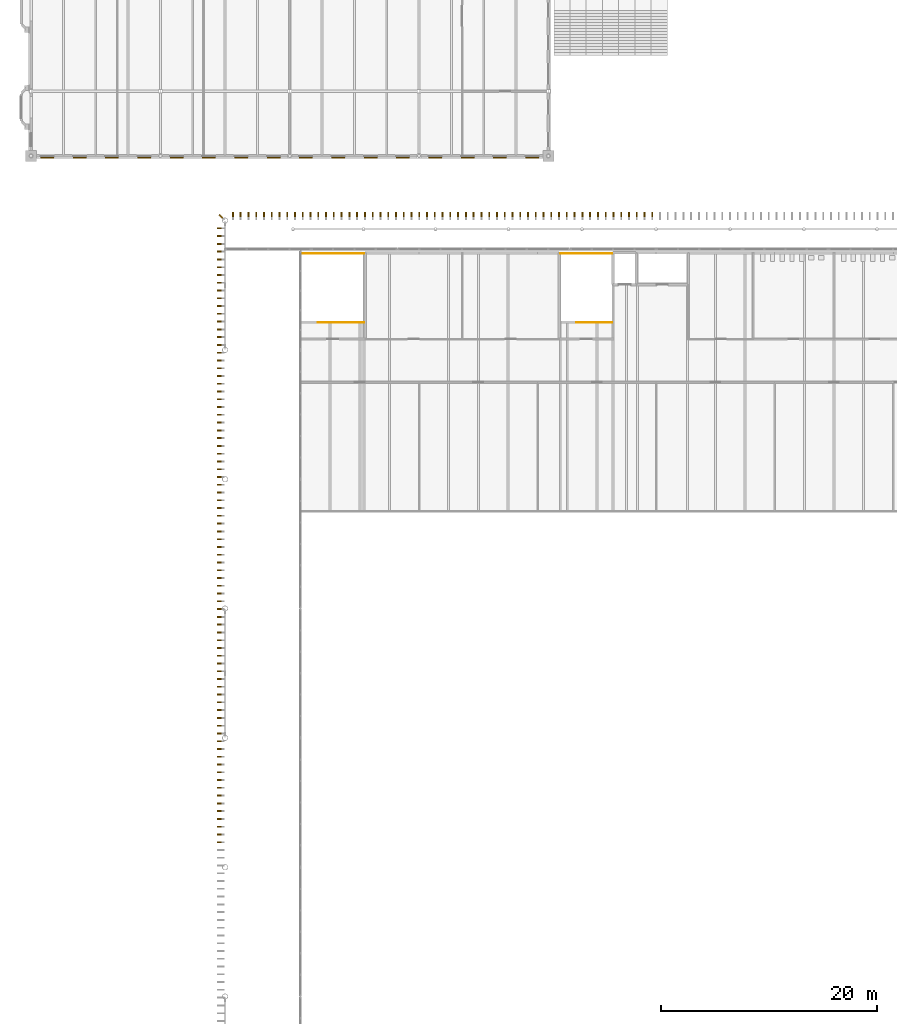
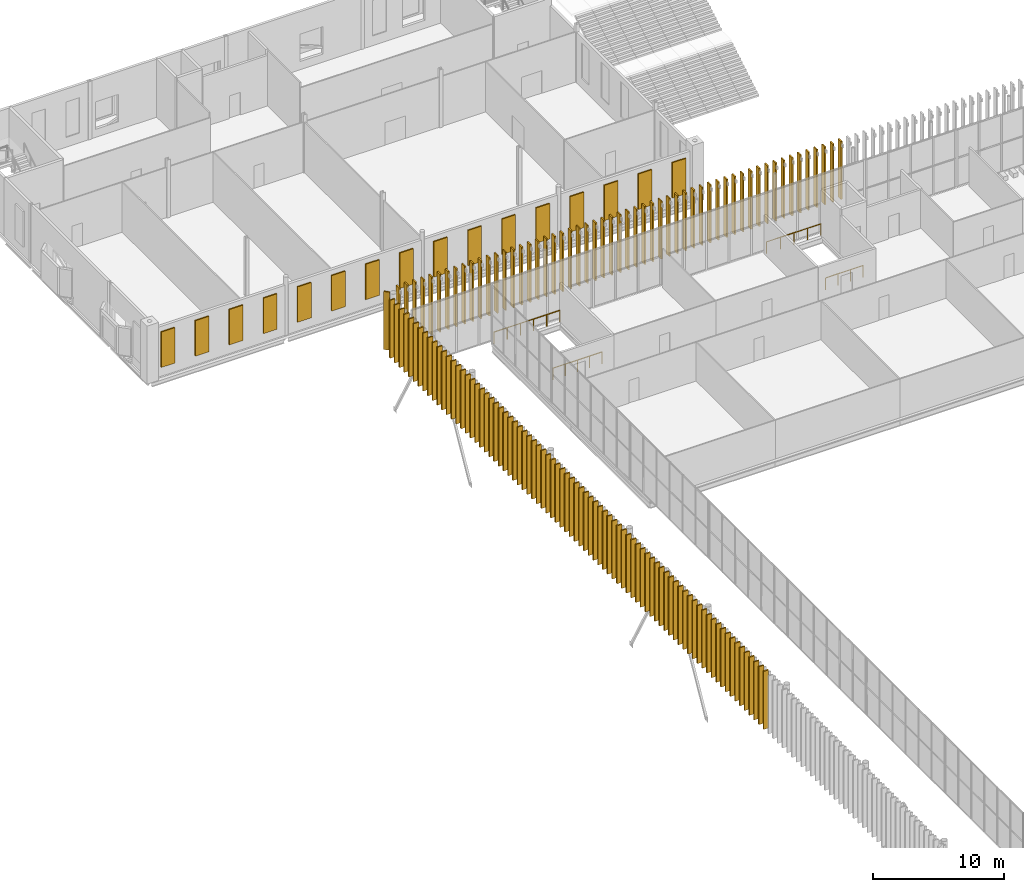
# One storey, part 162 of 170: 152 shading devices, 4 railings.
"""IFC4 building model written with IfcOpenShell, lengths in metres."""

from ifc_helpers import new_model, si_unit, direction, frame, origin, origin_2d, place, context, subcontext, project, spatial, rectangle, circle, extrude, material, layer, layer_set, type_object, element, save


model = new_model("IFC4")

# Units and contexts
model_context = context("Model", 3, precision=1e-05, world=origin(), true_north=direction((0.0, 1.0)))
body_context = subcontext(model_context, "Body", "Model", "MODEL_VIEW")
ifc_project = project(units=[si_unit("LENGTHUNIT", "METRE"), si_unit("AREAUNIT", "SQUARE_METRE"), si_unit("VOLUMEUNIT", "CUBIC_METRE"), si_unit("PLANEANGLEUNIT", "RADIAN"), si_unit("MASSUNIT", "GRAM", prefix="KILO")], contexts=[model_context])

# Site, building, storey
site_placement = place(None, origin())
site = spatial("IfcSite", under=ifc_project, at=site_placement, CompositionType="ELEMENT")
building_placement = place(site_placement, origin())
building = spatial("IfcBuilding", under=site, at=building_placement, Name="Ravi Spectrum Wholesale Market", CompositionType="ELEMENT")
storey_placement = place(building_placement, frame((0.0, 0.0, 5.39990234375)))
storey = spatial("IfcBuildingStorey", under=building, at=storey_placement, Name="L01", CompositionType="ELEMENT", Elevation=5.39990234375)

# Shading devices
ifc_material_1 = material(Name="Glazed ceramic teal 17")
ifc_layer_1 = layer(ifc_material_1, 0.1201171875)
ifc_layer_set_1 = layer_set([ifc_layer_1], Name="Glazed ceramic teal 17")
shading_device_type_1 = type_object("IfcShadingDeviceType", Name="Glazed ceramic fin 17", PredefinedType="USERDEFINED", material=ifc_layer_set_1)
for number, where, z_axis, x_axis, name in (
    (1, (29.47509765625, 143.20166015625, 0.000244140625), (0.0, 0.0, 1.0), (0.0, -1.0, 0.0), "Fin F077 Glazed ceramic teal 17"),
    (2, (29.47509765625, 142.480712890625, 0.000244140625), (0.0, 0.0, 1.0), (0.0, -1.0, 0.0), "Fin F078 Glazed ceramic teal 17"),
    (3, (29.47509765625, 141.759765625, 0.000244140625), (0.0, 0.0, 1.0), (0.0, -1.0, 0.0), "Fin F079 Glazed ceramic teal 17"),
    (4, (29.47509765625, 141.03857421875, 0.000244140625), (0.0, 0.0, 1.0), (0.0, -1.0, 0.0), "Fin F080 Glazed ceramic teal 17"),
    (5, (29.47509765625, 140.317626953125, 0.000244140625), (0.0, 0.0, 1.0), (0.0, -1.0, 0.0), "Fin F081 Glazed ceramic teal 17"),
):
    element("IfcShadingDevice", number, at=place(storey_placement, frame(where, z_axis=z_axis, x_axis=x_axis)), inside=storey, type_object=shading_device_type_1, Name=name, ObjectType="FIN", PredefinedType="USERDEFINED", context=body_context, shape_type="SweptSolid", body=[
        extrude(rectangle(XDim=0.1201171875, YDim=0.449951171875, at=origin_2d()), origin(), (0.0, 0.0, 1.0), 5.39990234375),
    ])
ifc_material_2 = material(Name="Glazed ceramic cyan 18")
ifc_layer_2 = layer(ifc_material_2, 0.1201171875)
ifc_layer_set_2 = layer_set([ifc_layer_2], Name="Glazed ceramic cyan 18")
shading_device_type_2 = type_object("IfcShadingDeviceType", Name="Glazed ceramic fin 18", PredefinedType="USERDEFINED", material=ifc_layer_set_2)
for number, where, z_axis, x_axis, name in (
    (6, (29.47509765625, 151.133056640625, 0.000244140625), (0.0, 0.0, 1.0), (0.0, -1.0, 0.0), "Fin F066 Glazed ceramic cyan 18"),
    (7, (29.47509765625, 150.412109375, 0.000244140625), (0.0, 0.0, 1.0), (0.0, -1.0, 0.0), "Fin F067 Glazed ceramic cyan 18"),
    (8, (29.47509765625, 149.69091796875, 0.000244140625), (0.0, 0.0, 1.0), (0.0, -1.0, 0.0), "Fin F068 Glazed ceramic cyan 18"),
    (9, (29.47509765625, 148.969970703125, 0.000244140625), (0.0, 0.0, 1.0), (0.0, -1.0, 0.0), "Fin F069 Glazed ceramic cyan 18"),
    (10, (29.47509765625, 148.2490234375, 0.000244140625), (0.0, 0.0, 1.0), (0.0, -1.0, 0.0), "Fin F070 Glazed ceramic cyan 18"),
    (11, (29.47509765625, 147.52783203125, 0.000244140625), (0.0, 0.0, 1.0), (0.0, -1.0, 0.0), "Fin F071 Glazed ceramic cyan 18"),
    (12, (29.47509765625, 146.806884765625, 0.000244140625), (0.0, 0.0, 1.0), (0.0, -1.0, 0.0), "Fin F072 Glazed ceramic cyan 18"),
    (13, (29.47509765625, 146.0859375, 0.000244140625), (0.0, 0.0, 1.0), (0.0, -1.0, 0.0), "Fin F073 Glazed ceramic cyan 18"),
    (14, (29.47509765625, 145.36474609375, 0.000244140625), (0.0, 0.0, 1.0), (0.0, -1.0, 0.0), "Fin F074 Glazed ceramic cyan 18"),
    (15, (29.47509765625, 144.643798828125, 0.000244140625), (0.0, 0.0, 1.0), (0.0, -1.0, 0.0), "Fin F075 Glazed ceramic cyan 18"),
    (16, (29.47509765625, 143.9228515625, 0.000244140625), (0.0, 0.0, 1.0), (0.0, -1.0, 0.0), "Fin F076 Glazed ceramic cyan 18"),
):
    element("IfcShadingDevice", number, at=place(storey_placement, frame(where, z_axis=z_axis, x_axis=x_axis)), inside=storey, type_object=shading_device_type_2, Name=name, ObjectType="FIN", PredefinedType="USERDEFINED", context=body_context, shape_type="SweptSolid", body=[
        extrude(rectangle(XDim=0.1201171875, YDim=0.449951171875, at=origin_2d()), origin(), (0.0, 0.0, 1.0), 5.39990234375),
    ])
ifc_material_3 = material(Name="Glazed ceramic azure 19")
ifc_layer_3 = layer(ifc_material_3, 0.1201171875)
ifc_layer_set_3 = layer_set([ifc_layer_3], Name="Glazed ceramic azure 19")
shading_device_type_3 = type_object("IfcShadingDeviceType", Name="Glazed ceramic fin 19", PredefinedType="USERDEFINED", material=ifc_layer_set_3)
for number, where, z_axis, x_axis, name in (
    (17, (29.47509765625, 159.064453125, 0.000244140625), (0.0, 0.0, 1.0), (0.0, -1.0, 0.0), "Fin F055 Glazed ceramic azure 19"),
    (18, (29.47509765625, 158.34326171875, 0.000244140625), (0.0, 0.0, 1.0), (0.0, -1.0, 0.0), "Fin F056 Glazed ceramic azure 19"),
    (19, (29.47509765625, 157.622314453125, 0.000244140625), (0.0, 0.0, 1.0), (0.0, -1.0, 0.0), "Fin F057 Glazed ceramic azure 19"),
    (20, (29.47509765625, 156.9013671875, 0.000244140625), (0.0, 0.0, 1.0), (0.0, -1.0, 0.0), "Fin F058 Glazed ceramic azure 19"),
    (21, (29.47509765625, 156.18017578125, 0.000244140625), (0.0, 0.0, 1.0), (0.0, -1.0, 0.0), "Fin F059 Glazed ceramic azure 19"),
    (22, (29.47509765625, 155.459228515625, 0.000244140625), (0.0, 0.0, 1.0), (0.0, -1.0, 0.0), "Fin F060 Glazed ceramic azure 19"),
    (23, (29.47509765625, 154.73828125, 0.000244140625), (0.0, 0.0, 1.0), (0.0, -1.0, 0.0), "Fin F061 Glazed ceramic azure 19"),
    (24, (29.47509765625, 154.01708984375, 0.000244140625), (0.0, 0.0, 1.0), (0.0, -1.0, 0.0), "Fin F062 Glazed ceramic azure 19"),
    (25, (29.47509765625, 153.296142578125, 0.000244140625), (0.0, 0.0, 1.0), (0.0, -1.0, 0.0), "Fin F063 Glazed ceramic azure 19"),
    (26, (29.47509765625, 152.5751953125, 0.000244140625), (0.0, 0.0, 1.0), (0.0, -1.0, 0.0), "Fin F064 Glazed ceramic azure 19"),
    (27, (29.47509765625, 151.85400390625, 0.000244140625), (0.0, 0.0, 1.0), (0.0, -1.0, 0.0), "Fin F065 Glazed ceramic azure 19"),
):
    element("IfcShadingDevice", number, at=place(storey_placement, frame(where, z_axis=z_axis, x_axis=x_axis)), inside=storey, type_object=shading_device_type_3, Name=name, ObjectType="FIN", PredefinedType="USERDEFINED", context=body_context, shape_type="SweptSolid", body=[
        extrude(rectangle(XDim=0.1201171875, YDim=0.449951171875, at=origin_2d()), origin(), (0.0, 0.0, 1.0), 5.39990234375),
    ])
ifc_material_4 = material(Name="Glazed ceramic azure 20")
ifc_layer_4 = layer(ifc_material_4, 0.1201171875)
ifc_layer_set_4 = layer_set([ifc_layer_4], Name="Glazed ceramic azure 20")
shading_device_type_4 = type_object("IfcShadingDeviceType", Name="Glazed ceramic fin 20", PredefinedType="USERDEFINED", material=ifc_layer_set_4)
for number, where, z_axis, x_axis, name in (
    (28, (29.47509765625, 166.99560546875, 0.000244140625), (0.0, 0.0, 1.0), (0.0, -1.0, 0.0), "Fin F044 Glazed ceramic azure 20"),
    (29, (29.47509765625, 166.274658203125, 0.000244140625), (0.0, 0.0, 1.0), (0.0, -1.0, 0.0), "Fin F045 Glazed ceramic azure 20"),
    (30, (29.47509765625, 165.5537109375, 0.000244140625), (0.0, 0.0, 1.0), (0.0, -1.0, 0.0), "Fin F046 Glazed ceramic azure 20"),
    (31, (29.47509765625, 164.83251953125, 0.000244140625), (0.0, 0.0, 1.0), (0.0, -1.0, 0.0), "Fin F047 Glazed ceramic azure 20"),
    (32, (29.47509765625, 164.111572265625, 0.000244140625), (0.0, 0.0, 1.0), (0.0, -1.0, 0.0), "Fin F048 Glazed ceramic azure 20"),
    (33, (29.47509765625, 163.390625, 0.000244140625), (0.0, 0.0, 1.0), (0.0, -1.0, 0.0), "Fin F049 Glazed ceramic azure 20"),
    (34, (29.47509765625, 162.66943359375, 0.000244140625), (0.0, 0.0, 1.0), (0.0, -1.0, 0.0), "Fin F050 Glazed ceramic azure 20"),
    (35, (29.47509765625, 161.948486328125, 0.000244140625), (0.0, 0.0, 1.0), (0.0, -1.0, 0.0), "Fin F051 Glazed ceramic azure 20"),
    (36, (29.47509765625, 161.2275390625, 0.000244140625), (0.0, 0.0, 1.0), (0.0, -1.0, 0.0), "Fin F052 Glazed ceramic azure 20"),
    (37, (29.47509765625, 160.50634765625, 0.000244140625), (0.0, 0.0, 1.0), (0.0, -1.0, 0.0), "Fin F053 Glazed ceramic azure 20"),
    (38, (29.47509765625, 159.785400390625, 0.000244140625), (0.0, 0.0, 1.0), (0.0, -1.0, 0.0), "Fin F054 Glazed ceramic azure 20"),
):
    element("IfcShadingDevice", number, at=place(storey_placement, frame(where, z_axis=z_axis, x_axis=x_axis)), inside=storey, type_object=shading_device_type_4, Name=name, ObjectType="FIN", PredefinedType="USERDEFINED", context=body_context, shape_type="SweptSolid", body=[
        extrude(rectangle(XDim=0.1201171875, YDim=0.449951171875, at=origin_2d()), origin(), (0.0, 0.0, 1.0), 5.39990234375),
    ])
ifc_material_5 = material(Name="Glazed ceramic blue 21")
ifc_layer_5 = layer(ifc_material_5, 0.1201171875)
ifc_layer_set_5 = layer_set([ifc_layer_5], Name="Glazed ceramic blue 21")
shading_device_type_5 = type_object("IfcShadingDeviceType", Name="Glazed ceramic fin 21", PredefinedType="USERDEFINED", material=ifc_layer_set_5)
for number, where, z_axis, x_axis, name in (
    (39, (29.47509765625, 174.2060546875, 0.000244140625), (0.0, 0.0, 1.0), (0.0, -1.0, 0.0), "Fin F034 Glazed ceramic blue 21"),
    (40, (29.47509765625, 173.48486328125, 0.000244140625), (0.0, 0.0, 1.0), (0.0, -1.0, 0.0), "Fin F035 Glazed ceramic blue 21"),
    (41, (29.47509765625, 172.763916015625, 0.000244140625), (0.0, 0.0, 1.0), (0.0, -1.0, 0.0), "Fin F036 Glazed ceramic blue 21"),
    (42, (29.47509765625, 172.04296875, 0.000244140625), (0.0, 0.0, 1.0), (0.0, -1.0, 0.0), "Fin F037 Glazed ceramic blue 21"),
    (43, (29.47509765625, 171.32177734375, 0.000244140625), (0.0, 0.0, 1.0), (0.0, -1.0, 0.0), "Fin F038 Glazed ceramic blue 21"),
    (44, (29.47509765625, 170.600830078125, 0.000244140625), (0.0, 0.0, 1.0), (0.0, -1.0, 0.0), "Fin F039 Glazed ceramic blue 21"),
    (45, (29.47509765625, 169.8798828125, 0.000244140625), (0.0, 0.0, 1.0), (0.0, -1.0, 0.0), "Fin F040 Glazed ceramic blue 21"),
    (46, (29.47509765625, 169.15869140625, 0.000244140625), (0.0, 0.0, 1.0), (0.0, -1.0, 0.0), "Fin F041 Glazed ceramic blue 21"),
    (47, (29.47509765625, 168.437744140625, 0.000244140625), (0.0, 0.0, 1.0), (0.0, -1.0, 0.0), "Fin F042 Glazed ceramic blue 21"),
    (48, (29.47509765625, 167.716796875, 0.000244140625), (0.0, 0.0, 1.0), (0.0, -1.0, 0.0), "Fin F043 Glazed ceramic blue 21"),
):
    element("IfcShadingDevice", number, at=place(storey_placement, frame(where, z_axis=z_axis, x_axis=x_axis)), inside=storey, type_object=shading_device_type_5, Name=name, ObjectType="FIN", PredefinedType="USERDEFINED", context=body_context, shape_type="SweptSolid", body=[
        extrude(rectangle(XDim=0.1201171875, YDim=0.449951171875, at=origin_2d()), origin(), (0.0, 0.0, 1.0), 5.39990234375),
    ])
ifc_material_6 = material(Name="Glazed ceramic blue 22")
ifc_layer_6 = layer(ifc_material_6, 0.1201171875)
ifc_layer_set_6 = layer_set([ifc_layer_6], Name="Glazed ceramic blue 22")
shading_device_type_6 = type_object("IfcShadingDeviceType", Name="Glazed ceramic fin 22", PredefinedType="USERDEFINED", material=ifc_layer_set_6)
for number, where, z_axis, x_axis, name in (
    (49, (29.47509765625, 182.137451171875, 0.000244140625), (0.0, 0.0, 1.0), (0.0, -1.0, 0.0), "Fin F023 Glazed ceramic blue 22"),
    (50, (29.47509765625, 181.416259765625, 0.000244140625), (0.0, 0.0, 1.0), (0.0, -1.0, 0.0), "Fin F024 Glazed ceramic blue 22"),
    (51, (29.47509765625, 180.6953125, 0.000244140625), (0.0, 0.0, 1.0), (0.0, -1.0, 0.0), "Fin F025 Glazed ceramic blue 22"),
    (52, (29.47509765625, 179.974365234375, 0.000244140625), (0.0, 0.0, 1.0), (0.0, -1.0, 0.0), "Fin F026 Glazed ceramic blue 22"),
    (53, (29.47509765625, 179.253173828125, 0.000244140625), (0.0, 0.0, 1.0), (0.0, -1.0, 0.0), "Fin F027 Glazed ceramic blue 22"),
    (54, (29.47509765625, 178.5322265625, 0.000244140625), (0.0, 0.0, 1.0), (0.0, -1.0, 0.0), "Fin F028 Glazed ceramic blue 22"),
    (55, (29.47509765625, 177.811279296875, 0.000244140625), (0.0, 0.0, 1.0), (0.0, -1.0, 0.0), "Fin F029 Glazed ceramic blue 22"),
    (56, (29.47509765625, 177.090087890625, 0.000244140625), (0.0, 0.0, 1.0), (0.0, -1.0, 0.0), "Fin F030 Glazed ceramic blue 22"),
    (57, (29.47509765625, 176.369140625, 0.000244140625), (0.0, 0.0, 1.0), (0.0, -1.0, 0.0), "Fin F031 Glazed ceramic blue 22"),
    (58, (29.47509765625, 175.64794921875, 0.000244140625), (0.0, 0.0, 1.0), (0.0, -1.0, 0.0), "Fin F032 Glazed ceramic blue 22"),
    (59, (29.47509765625, 174.927001953125, 0.000244140625), (0.0, 0.0, 1.0), (0.0, -1.0, 0.0), "Fin F033 Glazed ceramic blue 22"),
):
    element("IfcShadingDevice", number, at=place(storey_placement, frame(where, z_axis=z_axis, x_axis=x_axis)), inside=storey, type_object=shading_device_type_6, Name=name, ObjectType="FIN", PredefinedType="USERDEFINED", context=body_context, shape_type="SweptSolid", body=[
        extrude(rectangle(XDim=0.1201171875, YDim=0.449951171875, at=origin_2d()), origin(), (0.0, 0.0, 1.0), 5.39990234375),
    ])
ifc_material_7 = material(Name="Glazed ceramic indigo 23")
ifc_layer_7 = layer(ifc_material_7, 0.1201171875)
ifc_layer_set_7 = layer_set([ifc_layer_7], Name="Glazed ceramic indigo 23")
shading_device_type_7 = type_object("IfcShadingDeviceType", Name="Glazed ceramic fin 23", PredefinedType="USERDEFINED", material=ifc_layer_set_7)
for number, where, z_axis, x_axis, name in (
    (60, (29.47509765625, 190.068603515625, 0.000244140625), (0.0, 0.0, 1.0), (0.0, -1.0, 0.0), "Fin F012 Glazed ceramic indigo 23"),
    (61, (29.47509765625, 189.34765625, 0.000244140625), (0.0, 0.0, 1.0), (0.0, -1.0, 0.0), "Fin F013 Glazed ceramic indigo 23"),
    (62, (29.47509765625, 188.626708984375, 0.000244140625), (0.0, 0.0, 1.0), (0.0, -1.0, 0.0), "Fin F014 Glazed ceramic indigo 23"),
    (63, (29.47509765625, 187.905517578125, 0.000244140625), (0.0, 0.0, 1.0), (0.0, -1.0, 0.0), "Fin F015 Glazed ceramic indigo 23"),
    (64, (29.47509765625, 187.1845703125, 0.000244140625), (0.0, 0.0, 1.0), (0.0, -1.0, 0.0), "Fin F016 Glazed ceramic indigo 23"),
    (65, (29.47509765625, 186.463623046875, 0.000244140625), (0.0, 0.0, 1.0), (0.0, -1.0, 0.0), "Fin F017 Glazed ceramic indigo 23"),
    (66, (29.47509765625, 185.742431640625, 0.000244140625), (0.0, 0.0, 1.0), (0.0, -1.0, 0.0), "Fin F018 Glazed ceramic indigo 23"),
    (67, (29.47509765625, 185.021484375, 0.000244140625), (0.0, 0.0, 1.0), (0.0, -1.0, 0.0), "Fin F019 Glazed ceramic indigo 23"),
    (68, (29.47509765625, 184.300537109375, 0.000244140625), (0.0, 0.0, 1.0), (0.0, -1.0, 0.0), "Fin F020 Glazed ceramic indigo 23"),
    (69, (29.47509765625, 183.579345703125, 0.000244140625), (0.0, 0.0, 1.0), (0.0, -1.0, 0.0), "Fin F021 Glazed ceramic indigo 23"),
    (70, (29.47509765625, 182.8583984375, 0.000244140625), (0.0, 0.0, 1.0), (0.0, -1.0, 0.0), "Fin F022 Glazed ceramic indigo 23"),
):
    element("IfcShadingDevice", number, at=place(storey_placement, frame(where, z_axis=z_axis, x_axis=x_axis)), inside=storey, type_object=shading_device_type_7, Name=name, ObjectType="FIN", PredefinedType="USERDEFINED", context=body_context, shape_type="SweptSolid", body=[
        extrude(rectangle(XDim=0.1201171875, YDim=0.449951171875, at=origin_2d()), origin(), (0.0, 0.0, 1.0), 5.39990234375),
    ])
ifc_material_8 = material(Name="Glazed ceramic violet 24")
ifc_layer_8 = layer(ifc_material_8, 0.1201171875)
ifc_layer_set_8 = layer_set([ifc_layer_8], Name="Glazed ceramic violet 24")
shading_device_type_8 = type_object("IfcShadingDeviceType", Name="Glazed ceramic fin 24", PredefinedType="USERDEFINED", material=ifc_layer_set_8)
for number, where, z_axis, x_axis, name in (
    (71, (29.628662109375, 198.371337890625, 0.000244140625), (0.0, 0.0, 1.0), (-0.707106781187, -0.707106781187, 0.0), "Fin F001 Glazed ceramic violet 24"),
    (72, (29.47509765625, 197.279052734375, 0.000244140625), (0.0, 0.0, 1.0), (0.0, -1.0, 0.0), "Fin F002 Glazed ceramic violet 24"),
    (73, (29.47509765625, 196.557861328125, 0.000244140625), (0.0, 0.0, 1.0), (0.0, -1.0, 0.0), "Fin F003 Glazed ceramic violet 24"),
    (74, (29.47509765625, 195.8369140625, 0.000244140625), (0.0, 0.0, 1.0), (0.0, -1.0, 0.0), "Fin F004 Glazed ceramic violet 24"),
    (75, (29.47509765625, 195.115966796875, 0.000244140625), (0.0, 0.0, 1.0), (0.0, -1.0, 0.0), "Fin F005 Glazed ceramic violet 24"),
    (76, (29.47509765625, 194.394775390625, 0.000244140625), (0.0, 0.0, 1.0), (0.0, -1.0, 0.0), "Fin F006 Glazed ceramic violet 24"),
    (77, (29.47509765625, 193.673828125, 0.000244140625), (0.0, 0.0, 1.0), (0.0, -1.0, 0.0), "Fin F007 Glazed ceramic violet 24"),
    (78, (29.47509765625, 192.952880859375, 0.000244140625), (0.0, 0.0, 1.0), (0.0, -1.0, 0.0), "Fin F008 Glazed ceramic violet 24"),
    (79, (29.47509765625, 192.231689453125, 0.000244140625), (0.0, 0.0, 1.0), (0.0, -1.0, 0.0), "Fin F009 Glazed ceramic violet 24"),
    (80, (29.47509765625, 191.5107421875, 0.000244140625), (0.0, 0.0, 1.0), (0.0, -1.0, 0.0), "Fin F010 Glazed ceramic violet 24"),
    (81, (29.47509765625, 190.789794921875, 0.000244140625), (0.0, 0.0, 1.0), (0.0, -1.0, 0.0), "Fin F011 Glazed ceramic violet 24"),
    (82, (69.6396484375, 198.52490234375, 0.000244140625), (0.0, 0.0, 1.0), (-1.0, 0.0, 0.0), "Fin F643 Glazed ceramic violet 24"),
    (83, (68.9189453125, 198.52490234375, 0.000244140625), (0.0, 0.0, 1.0), (-1.0, 0.0, 0.0), "Fin F644 Glazed ceramic violet 24"),
    (84, (68.1982421875, 198.52490234375, 0.000244140625), (0.0, 0.0, 1.0), (-1.0, 0.0, 0.0), "Fin F645 Glazed ceramic violet 24"),
    (85, (67.4775390625, 198.52490234375, 0.000244140625), (0.0, 0.0, 1.0), (-1.0, 0.0, 0.0), "Fin F646 Glazed ceramic violet 24"),
    (86, (66.7568359375, 198.52490234375, 0.000244140625), (0.0, 0.0, 1.0), (-1.0, 0.0, 0.0), "Fin F647 Glazed ceramic violet 24"),
    (87, (66.0361328125, 198.52490234375, 0.000244140625), (0.0, 0.0, 1.0), (-1.0, 0.0, 0.0), "Fin F648 Glazed ceramic violet 24"),
    (88, (65.3154296875, 198.52490234375, 0.000244140625), (0.0, 0.0, 1.0), (-1.0, 0.0, 0.0), "Fin F649 Glazed ceramic violet 24"),
    (89, (64.594482421875, 198.52490234375, 0.000244140625), (0.0, 0.0, 1.0), (-1.0, 0.0, 0.0), "Fin F650 Glazed ceramic violet 24"),
    (90, (63.873779296875, 198.52490234375, 0.000244140625), (0.0, 0.0, 1.0), (-1.0, 0.0, 0.0), "Fin F651 Glazed ceramic violet 24"),
    (91, (63.153076171875, 198.52490234375, 0.000244140625), (0.0, 0.0, 1.0), (-1.0, 0.0, 0.0), "Fin F652 Glazed ceramic violet 24"),
    (92, (62.432373046875, 198.52490234375, 0.000244140625), (0.0, 0.0, 1.0), (-1.0, 0.0, 0.0), "Fin F653 Glazed ceramic violet 24"),
    (93, (61.711669921875, 198.52490234375, 0.000244140625), (0.0, 0.0, 1.0), (-1.0, 0.0, 0.0), "Fin F654 Glazed ceramic violet 24"),
    (94, (60.990966796875, 198.52490234375, 0.000244140625), (0.0, 0.0, 1.0), (-1.0, 0.0, 0.0), "Fin F655 Glazed ceramic violet 24"),
    (95, (60.270263671875, 198.52490234375, 0.000244140625), (0.0, 0.0, 1.0), (-1.0, 0.0, 0.0), "Fin F656 Glazed ceramic violet 24"),
    (96, (59.549560546875, 198.52490234375, 0.000244140625), (0.0, 0.0, 1.0), (-1.0, 0.0, 0.0), "Fin F657 Glazed ceramic violet 24"),
    (97, (58.828857421875, 198.52490234375, 0.000244140625), (0.0, 0.0, 1.0), (-1.0, 0.0, 0.0), "Fin F658 Glazed ceramic violet 24"),
    (98, (58.108154296875, 198.52490234375, 0.000244140625), (0.0, 0.0, 1.0), (-1.0, 0.0, 0.0), "Fin F659 Glazed ceramic violet 24"),
    (99, (57.387451171875, 198.52490234375, 0.000244140625), (0.0, 0.0, 1.0), (-1.0, 0.0, 0.0), "Fin F660 Glazed ceramic violet 24"),
    (100, (56.666748046875, 198.52490234375, 0.000244140625), (0.0, 0.0, 1.0), (-1.0, 0.0, 0.0), "Fin F661 Glazed ceramic violet 24"),
    (101, (55.946044921875, 198.52490234375, 0.000244140625), (0.0, 0.0, 1.0), (-1.0, 0.0, 0.0), "Fin F662 Glazed ceramic violet 24"),
    (102, (55.225341796875, 198.52490234375, 0.000244140625), (0.0, 0.0, 1.0), (-1.0, 0.0, 0.0), "Fin F663 Glazed ceramic violet 24"),
    (103, (54.50439453125, 198.52490234375, 0.000244140625), (0.0, 0.0, 1.0), (-1.0, 0.0, 0.0), "Fin F664 Glazed ceramic violet 24"),
    (104, (53.78369140625, 198.52490234375, 0.000244140625), (0.0, 0.0, 1.0), (-1.0, 0.0, 0.0), "Fin F665 Glazed ceramic violet 24"),
    (105, (53.06298828125, 198.52490234375, 0.000244140625), (0.0, 0.0, 1.0), (-1.0, 0.0, 0.0), "Fin F666 Glazed ceramic violet 24"),
    (106, (52.34228515625, 198.52490234375, 0.000244140625), (0.0, 0.0, 1.0), (-1.0, 0.0, 0.0), "Fin F667 Glazed ceramic violet 24"),
    (107, (51.62158203125, 198.52490234375, 0.000244140625), (0.0, 0.0, 1.0), (-1.0, 0.0, 0.0), "Fin F668 Glazed ceramic violet 24"),
    (108, (50.90087890625, 198.52490234375, 0.000244140625), (0.0, 0.0, 1.0), (-1.0, 0.0, 0.0), "Fin F669 Glazed ceramic violet 24"),
    (109, (50.18017578125, 198.52490234375, 0.000244140625), (0.0, 0.0, 1.0), (-1.0, 0.0, 0.0), "Fin F670 Glazed ceramic violet 24"),
    (110, (49.45947265625, 198.52490234375, 0.000244140625), (0.0, 0.0, 1.0), (-1.0, 0.0, 0.0), "Fin F671 Glazed ceramic violet 24"),
    (111, (48.73876953125, 198.52490234375, 0.000244140625), (0.0, 0.0, 1.0), (-1.0, 0.0, 0.0), "Fin F672 Glazed ceramic violet 24"),
    (112, (48.01806640625, 198.52490234375, 0.000244140625), (0.0, 0.0, 1.0), (-1.0, 0.0, 0.0), "Fin F673 Glazed ceramic violet 24"),
    (113, (47.29736328125, 198.52490234375, 0.000244140625), (0.0, 0.0, 1.0), (-1.0, 0.0, 0.0), "Fin F674 Glazed ceramic violet 24"),
    (114, (46.57666015625, 198.52490234375, 0.000244140625), (0.0, 0.0, 1.0), (-1.0, 0.0, 0.0), "Fin F675 Glazed ceramic violet 24"),
    (115, (45.85595703125, 198.52490234375, 0.000244140625), (0.0, 0.0, 1.0), (-1.0, 0.0, 0.0), "Fin F676 Glazed ceramic violet 24"),
    (116, (45.13525390625, 198.52490234375, 0.000244140625), (0.0, 0.0, 1.0), (-1.0, 0.0, 0.0), "Fin F677 Glazed ceramic violet 24"),
    (117, (44.414306640625, 198.52490234375, 0.000244140625), (0.0, 0.0, 1.0), (-1.0, 0.0, 0.0), "Fin F678 Glazed ceramic violet 24"),
    (118, (43.693603515625, 198.52490234375, 0.000244140625), (0.0, 0.0, 1.0), (-1.0, 0.0, 0.0), "Fin F679 Glazed ceramic violet 24"),
    (119, (42.972900390625, 198.52490234375, 0.000244140625), (0.0, 0.0, 1.0), (-1.0, 0.0, 0.0), "Fin F680 Glazed ceramic violet 24"),
    (120, (42.252197265625, 198.52490234375, 0.000244140625), (0.0, 0.0, 1.0), (-1.0, 0.0, 0.0), "Fin F681 Glazed ceramic violet 24"),
    (121, (41.531494140625, 198.52490234375, 0.000244140625), (0.0, 0.0, 1.0), (-1.0, 0.0, 0.0), "Fin F682 Glazed ceramic violet 24"),
    (122, (40.810791015625, 198.52490234375, 0.000244140625), (0.0, 0.0, 1.0), (-1.0, 0.0, 0.0), "Fin F683 Glazed ceramic violet 24"),
    (123, (40.090087890625, 198.52490234375, 0.000244140625), (0.0, 0.0, 1.0), (-1.0, 0.0, 0.0), "Fin F684 Glazed ceramic violet 24"),
    (124, (39.369384765625, 198.52490234375, 0.000244140625), (0.0, 0.0, 1.0), (-1.0, 0.0, 0.0), "Fin F685 Glazed ceramic violet 24"),
    (125, (38.648681640625, 198.52490234375, 0.000244140625), (0.0, 0.0, 1.0), (-1.0, 0.0, 0.0), "Fin F686 Glazed ceramic violet 24"),
    (126, (37.927978515625, 198.52490234375, 0.000244140625), (0.0, 0.0, 1.0), (-1.0, 0.0, 0.0), "Fin F687 Glazed ceramic violet 24"),
    (127, (37.207275390625, 198.52490234375, 0.000244140625), (0.0, 0.0, 1.0), (-1.0, 0.0, 0.0), "Fin F688 Glazed ceramic violet 24"),
    (128, (36.486572265625, 198.52490234375, 0.000244140625), (0.0, 0.0, 1.0), (-1.0, 0.0, 0.0), "Fin F689 Glazed ceramic violet 24"),
    (129, (35.765869140625, 198.52490234375, 0.000244140625), (0.0, 0.0, 1.0), (-1.0, 0.0, 0.0), "Fin F690 Glazed ceramic violet 24"),
    (130, (35.045166015625, 198.52490234375, 0.000244140625), (0.0, 0.0, 1.0), (-1.0, 0.0, 0.0), "Fin F691 Glazed ceramic violet 24"),
    (131, (34.32421875, 198.52490234375, 0.000244140625), (0.0, 0.0, 1.0), (-1.0, 0.0, 0.0), "Fin F692 Glazed ceramic violet 24"),
    (132, (33.603515625, 198.52490234375, 0.000244140625), (0.0, 0.0, 1.0), (-1.0, 0.0, 0.0), "Fin F693 Glazed ceramic violet 24"),
    (133, (32.8828125, 198.52490234375, 0.000244140625), (0.0, 0.0, 1.0), (-1.0, 0.0, 0.0), "Fin F694 Glazed ceramic violet 24"),
    (134, (32.162109375, 198.52490234375, 0.000244140625), (0.0, 0.0, 1.0), (-1.0, 0.0, 0.0), "Fin F695 Glazed ceramic violet 24"),
    (135, (31.44140625, 198.52490234375, 0.000244140625), (0.0, 0.0, 1.0), (-1.0, 0.0, 0.0), "Fin F696 Glazed ceramic violet 24"),
    (136, (30.720703125, 198.52490234375, 0.000244140625), (0.0, 0.0, 1.0), (-1.0, 0.0, 0.0), "Fin F697 Glazed ceramic violet 24"),
):
    element("IfcShadingDevice", number, at=place(storey_placement, frame(where, z_axis=z_axis, x_axis=x_axis)), inside=storey, type_object=shading_device_type_8, Name=name, ObjectType="FIN", PredefinedType="USERDEFINED", context=body_context, shape_type="SweptSolid", body=[
        extrude(rectangle(XDim=0.1201171875, YDim=0.449951171875, at=origin_2d()), origin(), (0.0, 0.0, 1.0), 5.39990234375),
    ])

# Railings
ifc_material_9 = material(Name="Steel S355", Category="steel")
railing_type = type_object("IfcRailingType", Name="Guard 1100", PredefinedType="GUARDRAIL", material=ifc_material_9)
railing_1_placement = place(storey_placement, frame((37.10009765625, 194.949951171875, 0.0)))
element("IfcRailing", 137, at=railing_1_placement, inside=storey, type_object=railing_type, Name="H1-RL-S-H1-1-WELL-0", PredefinedType="GUARDRAIL", context=body_context, shape_type="SweptSolid", body=[
    extrude(circle(Radius=0.02392578125, at=origin_2d()), frame((0.0, 0.0, 1.076171875), z_axis=(1.0, 0.0, 0.0), x_axis=(0.0, 1.0, 0.0)), (0.0, 0.0, 1.0), 5.7998046875),
    extrude(circle(Radius=0.02099609375, at=origin_2d()), origin(), (0.0, 0.0, 1.0), 1.052001953125),
    extrude(circle(Radius=0.02099609375, at=origin_2d()), frame((1.159912109375, 0.0, 0.0)), (0.0, 0.0, 1.0), 1.052001953125),
    extrude(circle(Radius=0.02099609375, at=origin_2d()), frame((2.31982421875, 0.0, 0.0)), (0.0, 0.0, 1.0), 1.052001953125),
    extrude(circle(Radius=0.02099609375, at=origin_2d()), frame((3.47998046875, 0.0, 0.0)), (0.0, 0.0, 1.0), 1.052001953125),
    extrude(circle(Radius=0.02099609375, at=origin_2d()), frame((4.639892578125, 0.0, 0.0)), (0.0, 0.0, 1.0), 1.052001953125),
    extrude(circle(Radius=0.02099609375, at=origin_2d()), frame((5.7998046875, 0.0, 0.0)), (0.0, 0.0, 1.0), 1.052001953125),
])
railing_2_placement = place(storey_placement, frame((42.89990234375, 188.550048828125, 0.0)))
element("IfcRailing", 138, at=railing_2_placement, inside=storey, type_object=railing_type, Name="L01 S-H1-1 top well guard 1", PredefinedType="GUARDRAIL", context=body_context, shape_type="SweptSolid", body=[
    extrude(circle(Radius=0.02392578125, at=origin_2d()), frame((0.0, 0.0, 1.076171875), z_axis=(-1.0, 0.0, 0.0), x_axis=(0.0, -1.0, 0.0)), (0.0, 0.0, 1.0), 4.2998046875),
    extrude(circle(Radius=0.02099609375, at=origin_2d()), origin(), (0.0, 0.0, 1.0), 1.052001953125),
    extrude(circle(Radius=0.02099609375, at=origin_2d()), frame((-1.074951171875, 0.0, 0.0)), (0.0, 0.0, 1.0), 1.052001953125),
    extrude(circle(Radius=0.02099609375, at=origin_2d()), frame((-2.14990234375, 0.0, 0.0)), (0.0, 0.0, 1.0), 1.052001953125),
    extrude(circle(Radius=0.02099609375, at=origin_2d()), frame((-3.224853515625, 0.0, 0.0)), (0.0, 0.0, 1.0), 1.052001953125),
    extrude(circle(Radius=0.02099609375, at=origin_2d()), frame((-4.2998046875, 0.0, 0.0)), (0.0, 0.0, 1.0), 1.052001953125),
])
railing_3_placement = place(storey_placement, frame((61.10009765625, 194.949951171875, 0.0)))
element("IfcRailing", 139, at=railing_3_placement, inside=storey, type_object=railing_type, Name="H1-RL-S-H1-3-WELL-0", PredefinedType="GUARDRAIL", context=body_context, shape_type="SweptSolid", body=[
    extrude(circle(Radius=0.02392578125, at=origin_2d()), frame((0.0, 0.0, 1.076171875), z_axis=(1.0, 0.0, 0.0), x_axis=(0.0, 1.0, 0.0)), (0.0, 0.0, 1.0), 4.7998046875),
    extrude(circle(Radius=0.02099609375, at=origin_2d()), origin(), (0.0, 0.0, 1.0), 1.052001953125),
    extrude(circle(Radius=0.02099609375, at=origin_2d()), frame((1.199951171875, 0.0, 0.0)), (0.0, 0.0, 1.0), 1.052001953125),
    extrude(circle(Radius=0.02099609375, at=origin_2d()), frame((2.39990234375, 0.0, 0.0)), (0.0, 0.0, 1.0), 1.052001953125),
    extrude(circle(Radius=0.02099609375, at=origin_2d()), frame((3.599853515625, 0.0, 0.0)), (0.0, 0.0, 1.0), 1.052001953125),
    extrude(circle(Radius=0.02099609375, at=origin_2d()), frame((4.7998046875, 0.0, 0.0)), (0.0, 0.0, 1.0), 1.052001953125),
])
railing_4_placement = place(storey_placement, frame((65.89990234375, 188.550048828125, 0.0)))
element("IfcRailing", 140, at=railing_4_placement, inside=storey, type_object=railing_type, Name="L01 S-H1-3 top well guard 1", PredefinedType="GUARDRAIL", context=body_context, shape_type="SweptSolid", body=[
    extrude(circle(Radius=0.02392578125, at=origin_2d()), frame((0.0, 0.0, 1.076171875), z_axis=(-1.0, 0.0, 0.0), x_axis=(0.0, -1.0, 0.0)), (0.0, 0.0, 1.0), 3.2998046875),
    extrude(circle(Radius=0.02099609375, at=origin_2d()), origin(), (0.0, 0.0, 1.0), 1.052001953125),
    extrude(circle(Radius=0.02099609375, at=origin_2d()), frame((-1.099853515625, 0.0, 0.0)), (0.0, 0.0, 1.0), 1.052001953125),
    extrude(circle(Radius=0.02099609375, at=origin_2d()), frame((-2.199951171875, 0.0, 0.0)), (0.0, 0.0, 1.0), 1.052001953125),
    extrude(circle(Radius=0.02099609375, at=origin_2d()), frame((-3.2998046875, 0.0, 0.0)), (0.0, 0.0, 1.0), 1.052001953125),
])

# Shading devices
ifc_material_10 = material(Name="Perforated clinker brickwork", Category="masonry")
ifc_layer_9 = layer(ifc_material_10, 0.114990234375)
ifc_layer_set_9 = layer_set([ifc_layer_9], Name="Perforated clinker brickwork")
shading_device_type_9 = type_object("IfcShadingDeviceType", Name="Jali brick screen panel 115", PredefinedType="USERDEFINED", material=ifc_layer_set_9)
for number, where, z_axis, x_axis, name in (
    (141, (13.5, 203.827392578125, 0.89990234375), (0.0, 0.0, 1.0), (1.0, 0.0, 0.0), "Jali screen"),
    (142, (16.5, 203.827392578125, 0.89990234375), (0.0, 0.0, 1.0), (1.0, 0.0, 0.0), "Jali screen"),
    (143, (19.5, 203.827392578125, 0.89990234375), (0.0, 0.0, 1.0), (1.0, 0.0, 0.0), "Jali screen"),
    (144, (22.5, 203.827392578125, 0.89990234375), (0.0, 0.0, 1.0), (1.0, 0.0, 0.0), "Jali screen"),
    (145, (25.5, 203.827392578125, 0.89990234375), (0.0, 0.0, 1.0), (1.0, 0.0, 0.0), "Jali screen"),
    (146, (28.5, 203.827392578125, 0.89990234375), (0.0, 0.0, 1.0), (1.0, 0.0, 0.0), "Jali screen"),
    (147, (31.5, 203.827392578125, 0.89990234375), (0.0, 0.0, 1.0), (1.0, 0.0, 0.0), "Jali screen"),
    (148, (34.5, 203.827392578125, 0.89990234375), (0.0, 0.0, 1.0), (1.0, 0.0, 0.0), "Jali screen"),
    (149, (37.5, 203.827392578125, 0.89990234375), (0.0, 0.0, 1.0), (1.0, 0.0, 0.0), "Jali screen"),
    (150, (40.5, 203.827392578125, 0.89990234375), (0.0, 0.0, 1.0), (1.0, 0.0, 0.0), "Jali screen"),
    (151, (43.5, 203.827392578125, 0.89990234375), (0.0, 0.0, 1.0), (1.0, 0.0, 0.0), "Jali screen"),
    (152, (46.5, 203.827392578125, 0.89990234375), (0.0, 0.0, 1.0), (1.0, 0.0, 0.0), "Jali screen"),
    (153, (49.5, 203.827392578125, 0.89990234375), (0.0, 0.0, 1.0), (1.0, 0.0, 0.0), "Jali screen"),
    (154, (52.5, 203.827392578125, 0.89990234375), (0.0, 0.0, 1.0), (1.0, 0.0, 0.0), "Jali screen"),
    (155, (55.5, 203.827392578125, 0.89990234375), (0.0, 0.0, 1.0), (1.0, 0.0, 0.0), "Jali screen"),
    (156, (58.5, 203.827392578125, 0.89990234375), (0.0, 0.0, 1.0), (1.0, 0.0, 0.0), "Jali screen"),
):
    element("IfcShadingDevice", number, at=place(storey_placement, frame(where, z_axis=z_axis, x_axis=x_axis)), inside=storey, type_object=shading_device_type_9, Name=name, ObjectType="SCREEN", PredefinedType="USERDEFINED", context=body_context, shape_type="SweptSolid", body=[
        extrude(rectangle(XDim=1.199951171875, YDim=0.114990234375, at=origin_2d()), origin(), (0.0, 0.0, 1.0), 3.300048828125),
    ])

save(model, "model.ifc")
